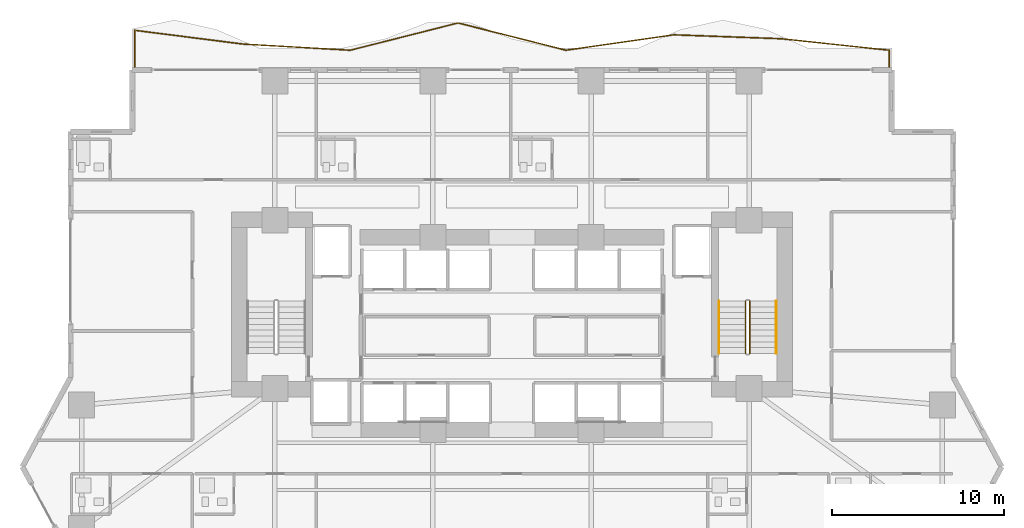
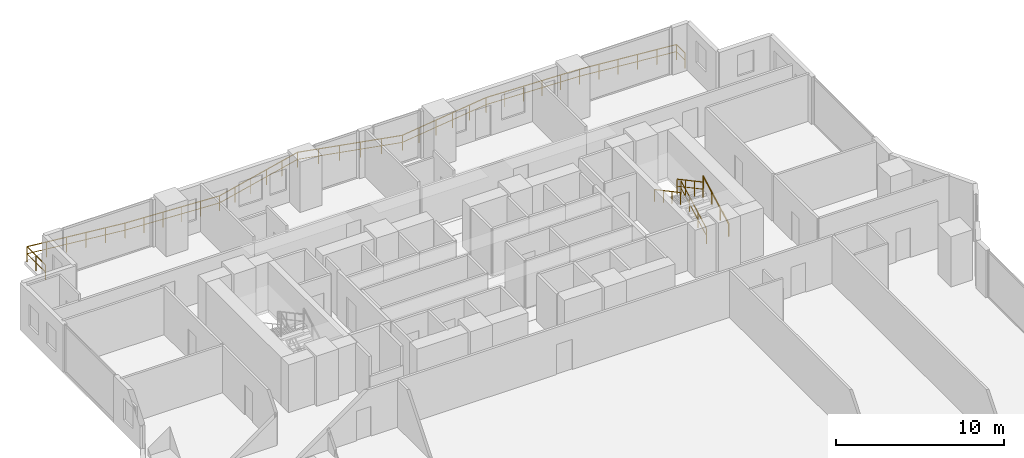
# One storey, part 26 of 28: 5 railings.
"""IFC4 building model written with IfcOpenShell, lengths in metres."""

from ifc_helpers import new_model, si_unit, direction, frame, origin, origin_2d, place, context, subcontext, project, spatial, rectangle, extrude, material, type_object, element, save


model = new_model("IFC4")

# Units and contexts
model_context = context("Model", 3, precision=1e-05, world=origin(), true_north=direction((0.0, 1.0)))
body_context = subcontext(model_context, "Body", "Model", "MODEL_VIEW")
ifc_project = project(units=[si_unit("LENGTHUNIT", "METRE"), si_unit("AREAUNIT", "SQUARE_METRE"), si_unit("VOLUMEUNIT", "CUBIC_METRE"), si_unit("PLANEANGLEUNIT", "RADIAN"), si_unit("MASSUNIT", "GRAM", prefix="KILO")], contexts=[model_context])

# Site, building, storey
site_placement = place(None, origin())
site = spatial("IfcSite", under=ifc_project, at=site_placement, CompositionType="ELEMENT")
building_placement = place(site_placement, origin())
building = spatial("IfcBuilding", under=site, at=building_placement, Name="Zuhayl Quay Hotel", CompositionType="ELEMENT")
storey_placement = place(building_placement, frame((0.0, 0.0, 75.050048828125)))
storey = spatial("IfcBuildingStorey", under=building, at=storey_placement, Name="L18", CompositionType="ELEMENT", Elevation=75.050048828125)

# Railings
ifc_material_1 = material(Name="Anodised Aluminium and Laminated Glass", Category="aluminium")
railing_type_1 = type_object("IfcRailingType", Name="RL_EXT_BAL_1100", PredefinedType="BALUSTRADE", material=ifc_material_1)
railing_1_placement = place(storey_placement, frame((-21.9599609375, 23.219970703125, 0.0)))
element("IfcRailing", 1, at=railing_1_placement, inside=storey, type_object=railing_type_1, Name="L18 Balcony and Terrace Guard GR_L18_BAL_N", PredefinedType="BALUSTRADE", context=body_context, shape_type="SweptSolid", body=[
    extrude(rectangle(XDim=0.048095703125, YDim=0.048095703125, at=origin_2d()), frame((0.0, 0.0, 1.09619140625), z_axis=(0.0, 1.0, 0.0), x_axis=(-1.0, 0.0, 0.0)), (0.0, 0.0, 1.0), 2.17919921875),
    extrude(rectangle(XDim=0.0361328125, YDim=0.0361328125, at=origin_2d()), frame((0.0, 0.0, 0.58251953125), z_axis=(0.0, 1.0, 0.0), x_axis=(-1.0, 0.0, 0.0)), (0.0, 0.0, 1.0), 2.17919921875),
    extrude(rectangle(XDim=0.048095703125, YDim=0.048095703125, at=origin_2d()), frame((0.0, 2.17919921875, 1.09619140625), z_axis=(0.992045134563, -0.125882687412, 0.0), x_axis=(0.125882687412, 0.992045134563, 0.0)), (0.0, 0.0, 1.0), 6.324462890625),
    extrude(rectangle(XDim=0.0361328125, YDim=0.0361328125, at=origin_2d()), frame((0.0, 2.17919921875, 0.58251953125), z_axis=(0.992045134563, -0.125882687412, 0.0), x_axis=(0.125882687412, 0.992045134563, 0.0)), (0.0, 0.0, 1.0), 6.324462890625),
    extrude(rectangle(XDim=0.048095703125, YDim=0.048095703125, at=origin_2d()), frame((6.274169921875, 1.383056640625, 1.09619140625), z_axis=(0.99833030585, -0.057763313805, 0.0), x_axis=(0.057763313805, 0.99833030585, 0.0)), (0.0, 0.0, 1.0), 6.284912109375),
    extrude(rectangle(XDim=0.0361328125, YDim=0.0361328125, at=origin_2d()), frame((6.274169921875, 1.383056640625, 0.58251953125), z_axis=(0.99833030585, -0.057763313805, 0.0), x_axis=(0.057763313805, 0.99833030585, 0.0)), (0.0, 0.0, 1.0), 6.284912109375),
    extrude(rectangle(XDim=0.048095703125, YDim=0.048095703125, at=origin_2d()), frame((12.548583984375, 1.02001953125, 1.09619140625), z_axis=(0.969372169181, 0.24559641206, 0.0), x_axis=(-0.24559641206, 0.969372169181, 0.0)), (0.0, 0.0, 1.0), 6.472412109375),
    extrude(rectangle(XDim=0.0361328125, YDim=0.0361328125, at=origin_2d()), frame((12.548583984375, 1.02001953125, 0.58251953125), z_axis=(0.969372169181, 0.24559641206, 0.0), x_axis=(-0.24559641206, 0.969372169181, 0.0)), (0.0, 0.0, 1.0), 6.472412109375),
    extrude(rectangle(XDim=0.048095703125, YDim=0.048095703125, at=origin_2d()), frame((18.82275390625, 2.609619140625, 1.09619140625), z_axis=(0.96937444425, -0.24558743216, 0.0), x_axis=(0.24558743216, 0.96937444425, 0.0)), (0.0, 0.0, 1.0), 6.47265625),
    extrude(rectangle(XDim=0.0361328125, YDim=0.0361328125, at=origin_2d()), frame((18.82275390625, 2.609619140625, 0.58251953125), z_axis=(0.96937444425, -0.24558743216, 0.0), x_axis=(0.24558743216, 0.96937444425, 0.0)), (0.0, 0.0, 1.0), 6.47265625),
    extrude(rectangle(XDim=0.048095703125, YDim=0.048095703125, at=origin_2d()), frame((25.09716796875, 1.02001953125, 1.09619140625), z_axis=(0.9899024457, 0.141750301575, 0.0), x_axis=(-0.141750301575, 0.9899024457, 0.0)), (0.0, 0.0, 1.0), 6.338134765625),
    extrude(rectangle(XDim=0.0361328125, YDim=0.0361328125, at=origin_2d()), frame((25.09716796875, 1.02001953125, 0.58251953125), z_axis=(0.9899024457, 0.141750301575, 0.0), x_axis=(-0.141750301575, 0.9899024457, 0.0)), (0.0, 0.0, 1.0), 6.338134765625),
    extrude(rectangle(XDim=0.048095703125, YDim=0.048095703125, at=origin_2d()), frame((31.371337890625, 1.91845703125, 1.09619140625), z_axis=(0.999330351967, -0.036590266973, 0.0), x_axis=(0.036590266973, 0.999330351967, 0.0)), (0.0, 0.0, 1.0), 6.278564453125),
    extrude(rectangle(XDim=0.0361328125, YDim=0.0361328125, at=origin_2d()), frame((31.371337890625, 1.91845703125, 0.58251953125), z_axis=(0.999330351967, -0.036590266973, 0.0), x_axis=(0.036590266973, 0.999330351967, 0.0)), (0.0, 0.0, 1.0), 6.278564453125),
    extrude(rectangle(XDim=0.048095703125, YDim=0.048095703125, at=origin_2d()), frame((37.645751953125, 1.688720703125, 1.09619140625), z_axis=(0.994368283506, -0.105979794098, 0.0), x_axis=(0.105979794098, 0.994368283506, 0.0)), (0.0, 0.0, 1.0), 6.309814453125),
    extrude(rectangle(XDim=0.0361328125, YDim=0.0361328125, at=origin_2d()), frame((37.645751953125, 1.688720703125, 0.58251953125), z_axis=(0.994368283506, -0.105979794098, 0.0), x_axis=(0.105979794098, 0.994368283506, 0.0)), (0.0, 0.0, 1.0), 6.309814453125),
    extrude(rectangle(XDim=0.048095703125, YDim=0.048095703125, at=origin_2d()), frame((43.919921875, 1.02001953125, 1.09619140625), z_axis=(0.0, -1.0, 0.0), x_axis=(1.0, 0.0, 0.0)), (0.0, 0.0, 1.0), 1.02001953125),
    extrude(rectangle(XDim=0.0361328125, YDim=0.0361328125, at=origin_2d()), frame((43.919921875, 1.02001953125, 0.58251953125), z_axis=(0.0, -1.0, 0.0), x_axis=(1.0, 0.0, 0.0)), (0.0, 0.0, 1.0), 1.02001953125),
    extrude(rectangle(XDim=0.0419921875, YDim=0.0419921875, at=origin_2d()), origin(), (0.0, 0.0, 1.0), 1.072021484375),
    extrude(rectangle(XDim=0.0419921875, YDim=0.0419921875, at=origin_2d()), frame((0.0, 1.089599609375, 0.0)), (0.0, 0.0, 1.0), 1.072021484375),
    extrude(rectangle(XDim=0.0419921875, YDim=0.0419921875, at=origin_2d()), frame((0.0, 2.17919921875, 0.0)), (0.0, 0.0, 1.0), 1.072021484375),
    extrude(rectangle(XDim=0.0419921875, YDim=0.0419921875, at=origin_2d()), frame((1.2548828125, 2.02001953125, 0.0)), (0.0, 0.0, 1.0), 1.072021484375),
    extrude(rectangle(XDim=0.0419921875, YDim=0.0419921875, at=origin_2d()), frame((2.509765625, 1.86083984375, 0.0)), (0.0, 0.0, 1.0), 1.072021484375),
    extrude(rectangle(XDim=0.0419921875, YDim=0.0419921875, at=origin_2d()), frame((3.764404296875, 1.701416015625, 0.0)), (0.0, 0.0, 1.0), 1.072021484375),
    extrude(rectangle(XDim=0.0419921875, YDim=0.0419921875, at=origin_2d()), frame((5.019287109375, 1.542236328125, 0.0)), (0.0, 0.0, 1.0), 1.072021484375),
    extrude(rectangle(XDim=0.0419921875, YDim=0.0419921875, at=origin_2d()), frame((6.274169921875, 1.383056640625, 0.0)), (0.0, 0.0, 1.0), 1.072021484375),
    extrude(rectangle(XDim=0.0419921875, YDim=0.0419921875, at=origin_2d()), frame((7.529052734375, 1.310546875, 0.0)), (0.0, 0.0, 1.0), 1.072021484375),
    extrude(rectangle(XDim=0.0419921875, YDim=0.0419921875, at=origin_2d()), frame((8.783935546875, 1.23779296875, 0.0)), (0.0, 0.0, 1.0), 1.072021484375),
    extrude(rectangle(XDim=0.0419921875, YDim=0.0419921875, at=origin_2d()), frame((10.038818359375, 1.165283203125, 0.0)), (0.0, 0.0, 1.0), 1.072021484375),
    extrude(rectangle(XDim=0.0419921875, YDim=0.0419921875, at=origin_2d()), frame((11.293701171875, 1.092529296875, 0.0)), (0.0, 0.0, 1.0), 1.072021484375),
    extrude(rectangle(XDim=0.0419921875, YDim=0.0419921875, at=origin_2d()), frame((12.548583984375, 1.02001953125, 0.0)), (0.0, 0.0, 1.0), 1.072021484375),
    extrude(rectangle(XDim=0.0419921875, YDim=0.0419921875, at=origin_2d()), frame((13.803466796875, 1.337890625, 0.0)), (0.0, 0.0, 1.0), 1.072021484375),
    extrude(rectangle(XDim=0.0419921875, YDim=0.0419921875, at=origin_2d()), frame((15.058349609375, 1.65576171875, 0.0)), (0.0, 0.0, 1.0), 1.072021484375),
    extrude(rectangle(XDim=0.0419921875, YDim=0.0419921875, at=origin_2d()), frame((16.31298828125, 1.973876953125, 0.0)), (0.0, 0.0, 1.0), 1.072021484375),
    extrude(rectangle(XDim=0.0419921875, YDim=0.0419921875, at=origin_2d()), frame((17.56787109375, 2.291748046875, 0.0)), (0.0, 0.0, 1.0), 1.072021484375),
    extrude(rectangle(XDim=0.0419921875, YDim=0.0419921875, at=origin_2d()), frame((18.82275390625, 2.609619140625, 0.0)), (0.0, 0.0, 1.0), 1.072021484375),
    extrude(rectangle(XDim=0.0419921875, YDim=0.0419921875, at=origin_2d()), frame((20.07763671875, 2.291748046875, 0.0)), (0.0, 0.0, 1.0), 1.072021484375),
    extrude(rectangle(XDim=0.0419921875, YDim=0.0419921875, at=origin_2d()), frame((21.33251953125, 1.973876953125, 0.0)), (0.0, 0.0, 1.0), 1.072021484375),
    extrude(rectangle(XDim=0.0419921875, YDim=0.0419921875, at=origin_2d()), frame((22.58740234375, 1.65576171875, 0.0)), (0.0, 0.0, 1.0), 1.072021484375),
    extrude(rectangle(XDim=0.0419921875, YDim=0.0419921875, at=origin_2d()), frame((23.84228515625, 1.337890625, 0.0)), (0.0, 0.0, 1.0), 1.072021484375),
    extrude(rectangle(XDim=0.0419921875, YDim=0.0419921875, at=origin_2d()), frame((25.09716796875, 1.02001953125, 0.0)), (0.0, 0.0, 1.0), 1.072021484375),
    extrude(rectangle(XDim=0.0419921875, YDim=0.0419921875, at=origin_2d()), frame((26.35205078125, 1.19970703125, 0.0)), (0.0, 0.0, 1.0), 1.072021484375),
    extrude(rectangle(XDim=0.0419921875, YDim=0.0419921875, at=origin_2d()), frame((27.60693359375, 1.37939453125, 0.0)), (0.0, 0.0, 1.0), 1.072021484375),
    extrude(rectangle(XDim=0.0419921875, YDim=0.0419921875, at=origin_2d()), frame((28.861572265625, 1.55908203125, 0.0)), (0.0, 0.0, 1.0), 1.072021484375),
    extrude(rectangle(XDim=0.0419921875, YDim=0.0419921875, at=origin_2d()), frame((30.116455078125, 1.73876953125, 0.0)), (0.0, 0.0, 1.0), 1.072021484375),
    extrude(rectangle(XDim=0.0419921875, YDim=0.0419921875, at=origin_2d()), frame((31.371337890625, 1.91845703125, 0.0)), (0.0, 0.0, 1.0), 1.072021484375),
    extrude(rectangle(XDim=0.0419921875, YDim=0.0419921875, at=origin_2d()), frame((32.626220703125, 1.87255859375, 0.0)), (0.0, 0.0, 1.0), 1.072021484375),
    extrude(rectangle(XDim=0.0419921875, YDim=0.0419921875, at=origin_2d()), frame((33.881103515625, 1.82666015625, 0.0)), (0.0, 0.0, 1.0), 1.072021484375),
    extrude(rectangle(XDim=0.0419921875, YDim=0.0419921875, at=origin_2d()), frame((35.135986328125, 1.780517578125, 0.0)), (0.0, 0.0, 1.0), 1.072021484375),
    extrude(rectangle(XDim=0.0419921875, YDim=0.0419921875, at=origin_2d()), frame((36.390869140625, 1.734619140625, 0.0)), (0.0, 0.0, 1.0), 1.072021484375),
    extrude(rectangle(XDim=0.0419921875, YDim=0.0419921875, at=origin_2d()), frame((37.645751953125, 1.688720703125, 0.0)), (0.0, 0.0, 1.0), 1.072021484375),
    extrude(rectangle(XDim=0.0419921875, YDim=0.0419921875, at=origin_2d()), frame((38.900634765625, 1.554931640625, 0.0)), (0.0, 0.0, 1.0), 1.072021484375),
    extrude(rectangle(XDim=0.0419921875, YDim=0.0419921875, at=origin_2d()), frame((40.155517578125, 1.421142578125, 0.0)), (0.0, 0.0, 1.0), 1.072021484375),
    extrude(rectangle(XDim=0.0419921875, YDim=0.0419921875, at=origin_2d()), frame((41.41015625, 1.28759765625, 0.0)), (0.0, 0.0, 1.0), 1.072021484375),
    extrude(rectangle(XDim=0.0419921875, YDim=0.0419921875, at=origin_2d()), frame((42.6650390625, 1.15380859375, 0.0)), (0.0, 0.0, 1.0), 1.072021484375),
    extrude(rectangle(XDim=0.0419921875, YDim=0.0419921875, at=origin_2d()), frame((43.919921875, 1.02001953125, 0.0)), (0.0, 0.0, 1.0), 1.072021484375),
    extrude(rectangle(XDim=0.0419921875, YDim=0.0419921875, at=origin_2d()), frame((43.919921875, 0.0, 0.0)), (0.0, 0.0, 1.0), 1.072021484375),
])
ifc_material_2 = material(Name="Steel ASTM A992 Grade 50", Category="steel")
railing_type_2 = type_object("IfcRailingType", Name="RL_GUARD_1100", PredefinedType="GUARDRAIL", material=ifc_material_2)
railing_2_placement = place(storey_placement, frame((13.840087890625, 6.590087890625, 0.182373046875)))
element("IfcRailing", 2, at=railing_2_placement, inside=storey, type_object=railing_type_2, Name="L18 ST2 stair guard 1", PredefinedType="GUARDRAIL", context=body_context, shape_type="SweptSolid", body=[
    extrude(rectangle(XDim=0.048095703125, YDim=0.048095703125, at=origin_2d()), frame((0.0, 0.0, 1.09619140625), z_axis=(0.0, 0.88107310026, 0.472980117973), x_axis=(-1.0, 0.0, 0.0)), (0.0, 0.0, 1.0), 3.472900390625),
    extrude(rectangle(XDim=0.0361328125, YDim=0.0361328125, at=origin_2d()), frame((0.0, 0.0, 0.58251953125), z_axis=(0.0, 0.88107310026, 0.472980117973), x_axis=(-1.0, 0.0, 0.0)), (0.0, 0.0, 1.0), 3.472900390625),
    extrude(rectangle(XDim=0.0419921875, YDim=0.0419921875, at=origin_2d()), origin(), (0.0, 0.0, 1.0), 1.072021484375),
    extrude(rectangle(XDim=0.0419921875, YDim=0.0419921875, at=origin_2d()), frame((0.0, 1.02001953125, 0.547607421875)), (0.0, 0.0, 1.0), 1.072021484375),
    extrude(rectangle(XDim=0.0419921875, YDim=0.0419921875, at=origin_2d()), frame((0.0, 2.039794921875, 1.094970703125)), (0.0, 0.0, 1.0), 1.072021484375),
    extrude(rectangle(XDim=0.0419921875, YDim=0.0419921875, at=origin_2d()), frame((0.0, 3.059814453125, 1.642578125)), (0.0, 0.0, 1.0), 1.072021484375),
])
railing_3_placement = place(storey_placement, frame((13.590087890625, 9.64990234375, 2.007568359375)))
element("IfcRailing", 3, at=railing_3_placement, inside=storey, type_object=railing_type_2, Name="L18 ST2 stair guard 3", PredefinedType="GUARDRAIL", context=body_context, shape_type="SweptSolid", body=[
    extrude(rectangle(XDim=0.048095703125, YDim=0.048095703125, at=origin_2d()), frame((0.0, 0.0, 1.09619140625), z_axis=(0.0, -0.881102395774, 0.472925541879), x_axis=(1.0, 0.0, 0.0)), (0.0, 0.0, 1.0), 3.47265625),
    extrude(rectangle(XDim=0.0361328125, YDim=0.0361328125, at=origin_2d()), frame((0.0, 0.0, 0.58251953125), z_axis=(0.0, -0.881102395774, 0.472925541879), x_axis=(1.0, 0.0, 0.0)), (0.0, 0.0, 1.0), 3.47265625),
    extrude(rectangle(XDim=0.0419921875, YDim=0.0419921875, at=origin_2d()), origin(), (0.0, 0.0, 1.0), 1.072021484375),
    extrude(rectangle(XDim=0.0419921875, YDim=0.0419921875, at=origin_2d()), frame((0.0, -1.02001953125, 0.54736328125)), (0.0, 0.0, 1.0), 1.072021484375),
    extrude(rectangle(XDim=0.0419921875, YDim=0.0419921875, at=origin_2d()), frame((0.0, -2.039794921875, 1.094970703125)), (0.0, 0.0, 1.0), 1.072021484375),
    extrude(rectangle(XDim=0.0419921875, YDim=0.0419921875, at=origin_2d()), frame((0.0, -3.059814453125, 1.642333984375)), (0.0, 0.0, 1.0), 1.072021484375),
])
railing_type_3 = type_object("IfcRailingType", Name="RL_HANDRAIL_920", PredefinedType="HANDRAIL", material=ifc_material_2)
railing_4_placement = place(storey_placement, frame((15.3798828125, 6.590087890625, 0.182373046875)))
element("IfcRailing", 4, at=railing_4_placement, inside=storey, type_object=railing_type_3, Name="L18 ST2 stair handrail 1", PredefinedType="HANDRAIL", context=body_context, shape_type="SweptSolid", body=[
    extrude(rectangle(XDim=0.048095703125, YDim=0.048095703125, at=origin_2d()), frame((0.0, 0.0, 0.8759765625), z_axis=(0.0, 0.88107310026, 0.472980117973), x_axis=(-1.0, 0.0, 0.0)), (0.0, 0.0, 1.0), 3.472900390625),
    extrude(rectangle(XDim=0.0419921875, YDim=0.0419921875, at=origin_2d()), origin(), (0.0, 0.0, 1.0), 0.851806640625),
    extrude(rectangle(XDim=0.0419921875, YDim=0.0419921875, at=origin_2d()), frame((0.0, 1.02001953125, 0.547607421875)), (0.0, 0.0, 1.0), 0.851806640625),
    extrude(rectangle(XDim=0.0419921875, YDim=0.0419921875, at=origin_2d()), frame((0.0, 2.039794921875, 1.094970703125)), (0.0, 0.0, 1.0), 0.851806640625),
    extrude(rectangle(XDim=0.0419921875, YDim=0.0419921875, at=origin_2d()), frame((0.0, 3.059814453125, 1.642578125)), (0.0, 0.0, 1.0), 0.851806640625),
])
railing_5_placement = place(storey_placement, frame((12.050048828125, 9.64990234375, 2.007568359375)))
element("IfcRailing", 5, at=railing_5_placement, inside=storey, type_object=railing_type_3, Name="L18 ST2 stair handrail 2", PredefinedType="HANDRAIL", context=body_context, shape_type="SweptSolid", body=[
    extrude(rectangle(XDim=0.048095703125, YDim=0.048095703125, at=origin_2d()), frame((0.0, 0.0, 0.8759765625), z_axis=(0.0, -0.881102395774, 0.472925541879), x_axis=(1.0, 0.0, 0.0)), (0.0, 0.0, 1.0), 3.47265625),
    extrude(rectangle(XDim=0.0419921875, YDim=0.0419921875, at=origin_2d()), origin(), (0.0, 0.0, 1.0), 0.851806640625),
    extrude(rectangle(XDim=0.0419921875, YDim=0.0419921875, at=origin_2d()), frame((0.0, -1.02001953125, 0.54736328125)), (0.0, 0.0, 1.0), 0.851806640625),
    extrude(rectangle(XDim=0.0419921875, YDim=0.0419921875, at=origin_2d()), frame((0.0, -2.039794921875, 1.094970703125)), (0.0, 0.0, 1.0), 0.851806640625),
    extrude(rectangle(XDim=0.0419921875, YDim=0.0419921875, at=origin_2d()), frame((0.0, -3.059814453125, 1.642333984375)), (0.0, 0.0, 1.0), 0.851806640625),
])

save(model, "model.ifc")
